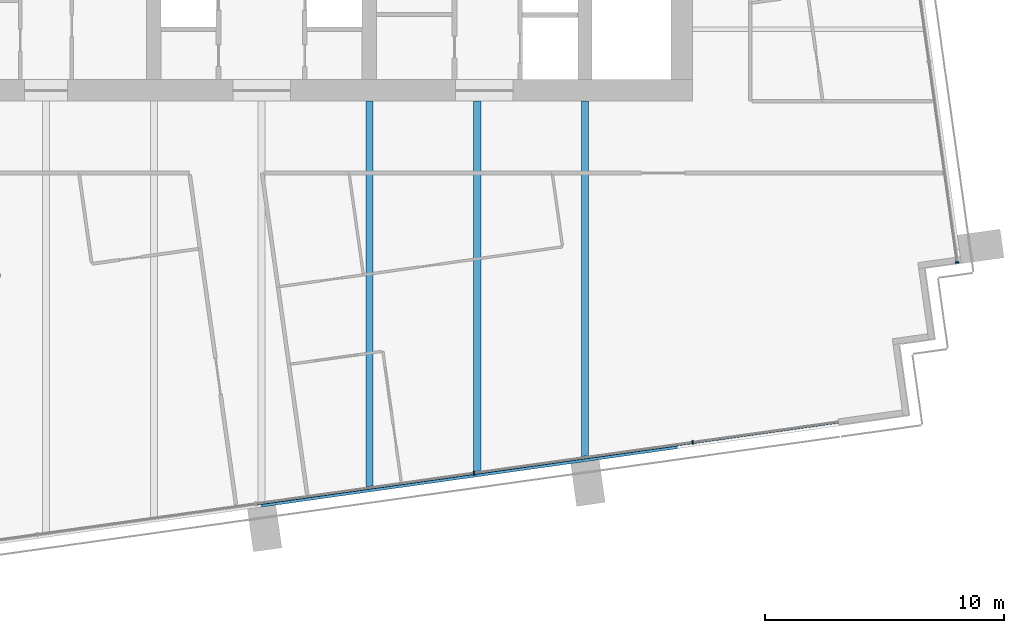
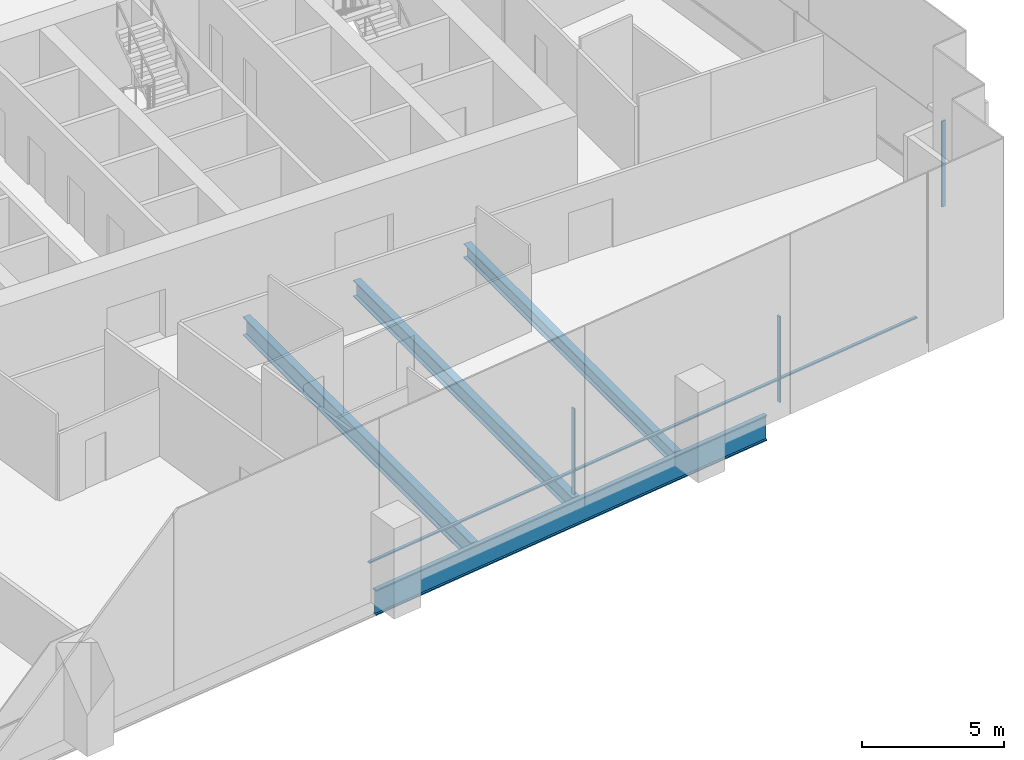
# One storey, part 4 of 17: 6 members, 4 beams, 2 elements without a shape of their own.
"""IFC4 building model written with IfcOpenShell, lengths in metres."""

from ifc_helpers import new_model, si_unit, direction, frame, origin, origin_2d, place, context, subcontext, project, spatial, rectangle, i_section, extrude, material, material_profile, profile_set, type_object, element, aggregate, save


model = new_model("IFC4")

# Units and contexts
model_context = context("Model", 3, precision=1e-05, world=origin(), true_north=direction((0.0, 1.0)))
body_context = subcontext(model_context, "Body", "Model", "MODEL_VIEW")
ifc_project = project(units=[si_unit("LENGTHUNIT", "METRE"), si_unit("AREAUNIT", "SQUARE_METRE"), si_unit("VOLUMEUNIT", "CUBIC_METRE"), si_unit("PLANEANGLEUNIT", "RADIAN"), si_unit("MASSUNIT", "GRAM", prefix="KILO")], contexts=[model_context])

# Site, building, storey
site_placement = place(None, origin())
site = spatial("IfcSite", under=ifc_project, at=site_placement, CompositionType="ELEMENT")
building_placement = place(site_placement, origin())
building = spatial("IfcBuilding", under=site, at=building_placement, Name="Rattan Terrace Tower", CompositionType="ELEMENT")
storey_placement = place(building_placement, frame((0.0, 0.0, 168.5)))
storey = spatial("IfcBuildingStorey", under=building, at=storey_placement, Name="L38", CompositionType="ELEMENT", Elevation=168.5)

# Curtain wall, member
ifc_material_1 = material(Name="Aluminium and glass", Category="aluminium")
curtain_wall_type = type_object("IfcCurtainWallType", Name="Facade Unitised Curtain Wall", PredefinedType="NOTDEFINED", material=ifc_material_1)
curtain_wall_1_placement = place(storey_placement, origin())
curtain_wall_1 = element("IfcCurtainWall", 1, at=curtain_wall_1_placement, inside=storey, type_object=curtain_wall_type, Name="Curtain wall L38-1", PredefinedType="NOTDEFINED")
ifc_material_2 = material(Name="Aluminium", Category="aluminium")
ifc_material_profile_1 = material_profile(ifc_material_2, rectangle(XDim=0.06005859375, YDim=0.159912109375, at=origin_2d()), Name="Aluminium 60x160")
ifc_profile_set_1 = profile_set([ifc_material_profile_1], Name="Aluminium")
member_type_1 = type_object("IfcMemberType", Name="Facade CW Mullion 60x160", PredefinedType="MULLION", material=ifc_profile_set_1)
member_1_placement = place(storey_placement, frame((29.037109375, -14.2333984375, 0.0), z_axis=(0.0, 0.0, 1.0), x_axis=(-0.139190856006, 0.99026557327, 0.0)))
member_1 = element("IfcMember", 2, at=member_1_placement, type_object=member_type_1, Name="Mullion cwl-L38-001.1", PredefinedType="MULLION", context=body_context, shape_type="SweptSolid", body=[
    extrude(rectangle(XDim=0.06005859375, YDim=0.159912109375, at=origin_2d()), origin(), (0.0, 0.0, 1.0), 3.699951171875),
])
aggregate(curtain_wall_1, [member_1])

# Curtain wall, members
curtain_wall_2_placement = place(storey_placement, origin())
curtain_wall_2 = element("IfcCurtainWall", 3, at=curtain_wall_2_placement, inside=storey, type_object=curtain_wall_type, Name="Curtain wall L38-4", PredefinedType="NOTDEFINED")
member_2_placement = place(storey_placement, frame((8.873291015625, -23.0302734375, 0.0), z_axis=(0.0, 0.0, 1.0), x_axis=(0.990269702686, 0.139161474347, 0.0)))
member_2 = element("IfcMember", 4, at=member_2_placement, type_object=member_type_1, Name="Mullion cwl-L38-004.4", PredefinedType="MULLION", context=body_context, shape_type="SweptSolid", body=[
    extrude(rectangle(XDim=0.06005859375, YDim=0.159912109375, at=origin_2d()), origin(), (0.0, 0.0, 1.0), 3.699951171875),
])
member_3_placement = place(storey_placement, frame((17.996826171875, -21.748291015625, 0.0), z_axis=(0.0, 0.0, 1.0), x_axis=(0.990269702686, 0.139161474347, 0.0)))
member_3 = element("IfcMember", 5, at=member_3_placement, type_object=member_type_1, Name="Mullion cwl-L38-004.5", PredefinedType="MULLION", context=body_context, shape_type="SweptSolid", body=[
    extrude(rectangle(XDim=0.06005859375, YDim=0.159912109375, at=origin_2d()), origin(), (0.0, 0.0, 1.0), 3.699951171875),
])
ifc_material_3 = material(Name="Aluminium", Category="aluminium")
ifc_material_profile_2 = material_profile(ifc_material_3, rectangle(XDim=0.1201171875, YDim=0.06005859375, at=origin_2d()), Name="Aluminium 120x60")
ifc_profile_set_2 = profile_set([ifc_material_profile_2], Name="Aluminium")
member_type_2 = type_object("IfcMemberType", Name="Facade CW Transom 120x60", PredefinedType="USERDEFINED", material=ifc_profile_set_2)
member_4_placement = place(storey_placement, frame((-0.22021484375, -24.308349609375, 1.0), z_axis=(0.990267035849, 0.139180450171, 0.0), x_axis=(-0.139180450171, 0.990267035849, 0.0)))
member_4 = element("IfcMember", 6, at=member_4_placement, type_object=member_type_2, Name="Transom cwl-L38-004.3", ObjectType="TRANSOM", PredefinedType="USERDEFINED", context=body_context, shape_type="SweptSolid", body=[
    extrude(rectangle(XDim=0.1201171875, YDim=0.06005859375, at=origin_2d()), origin(), (0.0, 0.0, 1.0), 9.153076171875),
])
member_5_placement = place(storey_placement, frame((8.903076171875, -23.026123046875, 1.0), z_axis=(0.990270711765, 0.139154293575, 0.0), x_axis=(-0.139154293575, 0.990270711765, 0.0)))
member_5 = element("IfcMember", 7, at=member_5_placement, type_object=member_type_2, Name="Transom cwl-L38-004.4", ObjectType="TRANSOM", PredefinedType="USERDEFINED", context=body_context, shape_type="SweptSolid", body=[
    extrude(rectangle(XDim=0.1201171875, YDim=0.06005859375, at=origin_2d()), origin(), (0.0, 0.0, 1.0), 9.153076171875),
])
member_6_placement = place(storey_placement, frame((18.0263671875, -21.744140625, 1.0), z_axis=(0.990267752185, 0.139175353357, 0.0), x_axis=(-0.139175353357, 0.990267752185, 0.0)))
member_6 = element("IfcMember", 8, at=member_6_placement, type_object=member_type_2, Name="Transom cwl-L38-004.5", ObjectType="TRANSOM", PredefinedType="USERDEFINED", context=body_context, shape_type="SweptSolid", body=[
    extrude(rectangle(XDim=0.1201171875, YDim=0.06005859375, at=origin_2d()), origin(), (0.0, 0.0, 1.0), 6.11865234375),
])
aggregate(curtain_wall_2, [member_2, member_3, member_4, member_5, member_6])

# Beams
ifc_material_4 = material(Name="Steel S460", Category="steel")
ifc_material_profile_3 = material_profile(ifc_material_4, i_section(OverallWidth=0.179931640625, OverallDepth=1.10009765625, WebThickness=0.01611328125, FlangeThickness=0.050048828125, at=origin_2d()), Name="PG 1100x180-16-50")
ifc_profile_set_3 = profile_set([ifc_material_profile_3], Name="Steel S460")
beam_type_1 = type_object("IfcBeamType", Name="Frame edge girder PG 1100x180-16-50", PredefinedType="SPANDREL", material=ifc_profile_set_3)
beam_1_placement = place(storey_placement, frame((17.347900390625, -21.9208984375, -0.75), z_axis=(-0.990273554652, -0.139134061096, 0.0), x_axis=(0.139134061096, -0.990273554652, 0.0)))
element("IfcBeam", 9, at=beam_1_placement, inside=storey, type_object=beam_type_1, Name="gdr-L38-002", PredefinedType="SPANDREL", context=body_context, shape_type="SweptSolid", body=[
    extrude(i_section(OverallWidth=0.179931640625, OverallDepth=1.10009765625, WebThickness=0.01611328125, FlangeThickness=0.050048828125, at=origin_2d()), origin(), (0.0, 0.0, 1.0), 17.53125),
])
ifc_material_5 = material(Name="Steel S355", Category="steel")
ifc_material_profile_4 = material_profile(ifc_material_5, i_section(OverallWidth=0.300048828125, OverallDepth=0.60009765625, WebThickness=0.015380859375, FlangeThickness=0.030029296875, FilletRadius=0.027099609375, at=origin_2d()), Name="HE 600 B")
ifc_profile_set_4 = profile_set([ifc_material_profile_4], Name="Steel S355")
beam_type_2 = type_object("IfcBeamType", Name="Frame floor beam HE 600 B", PredefinedType="JOIST", material=ifc_profile_set_4)
beam_2_placement = place(storey_placement, frame((13.5, -22.35009765625, -0.5), z_axis=(0.0, 1.0, 0.0), x_axis=(-1.0, 0.0, 0.0)))
element("IfcBeam", 10, at=beam_2_placement, inside=storey, type_object=beam_type_2, Name="bm-L38-009", PredefinedType="JOIST", context=body_context, shape_type="SweptSolid", body=[
    extrude(i_section(OverallWidth=0.300048828125, OverallDepth=0.60009765625, WebThickness=0.015380859375, FlangeThickness=0.030029296875, FilletRadius=0.027099609375, at=origin_2d()), origin(), (0.0, 0.0, 1.0), 14.85009765625),
])
ifc_material_6 = material(Name="Steel S355", Category="steel")
ifc_material_profile_5 = material_profile(ifc_material_6, i_section(OverallWidth=0.300048828125, OverallDepth=0.699951171875, WebThickness=0.01708984375, FlangeThickness=0.031982421875, FilletRadius=0.027099609375, at=origin_2d()), Name="HE 700 B")
ifc_profile_set_5 = profile_set([ifc_material_profile_5], Name="Steel S355")
beam_type_3 = type_object("IfcBeamType", Name="Frame floor beam HE 700 B", PredefinedType="JOIST", material=ifc_profile_set_5)
beam_3_placement = place(storey_placement, frame((9.0, -22.98193359375, -0.550048828125), z_axis=(0.0, 1.0, 0.0), x_axis=(-1.0, 0.0, 0.0)))
element("IfcBeam", 11, at=beam_3_placement, inside=storey, type_object=beam_type_3, Name="bm-L38-008", PredefinedType="JOIST", context=body_context, shape_type="SweptSolid", body=[
    extrude(i_section(OverallWidth=0.300048828125, OverallDepth=0.699951171875, WebThickness=0.01708984375, FlangeThickness=0.031982421875, FilletRadius=0.027099609375, at=origin_2d()), origin(), (0.0, 0.0, 1.0), 15.48193359375),
])
ifc_material_7 = material(Name="Steel S355", Category="steel")
ifc_material_profile_6 = material_profile(ifc_material_7, i_section(OverallWidth=0.300048828125, OverallDepth=0.800048828125, WebThickness=0.017578125, FlangeThickness=0.032958984375, FilletRadius=0.030029296875, at=origin_2d()), Name="HE 800 B")
ifc_profile_set_6 = profile_set([ifc_material_profile_6], Name="Steel S355")
beam_type_4 = type_object("IfcBeamType", Name="Frame floor beam HE 800 B", PredefinedType="JOIST", material=ifc_profile_set_6)
beam_4_placement = place(storey_placement, frame((4.5, -23.614013671875, -0.60009765625), z_axis=(0.0, 1.0, 0.0), x_axis=(-1.0, 0.0, 0.0)))
element("IfcBeam", 12, at=beam_4_placement, inside=storey, type_object=beam_type_4, Name="bm-L38-007", PredefinedType="JOIST", context=body_context, shape_type="SweptSolid", body=[
    extrude(i_section(OverallWidth=0.300048828125, OverallDepth=0.800048828125, WebThickness=0.017578125, FlangeThickness=0.032958984375, FilletRadius=0.030029296875, at=origin_2d()), origin(), (0.0, 0.0, 1.0), 16.114013671875),
])

save(model, "model.ifc")
